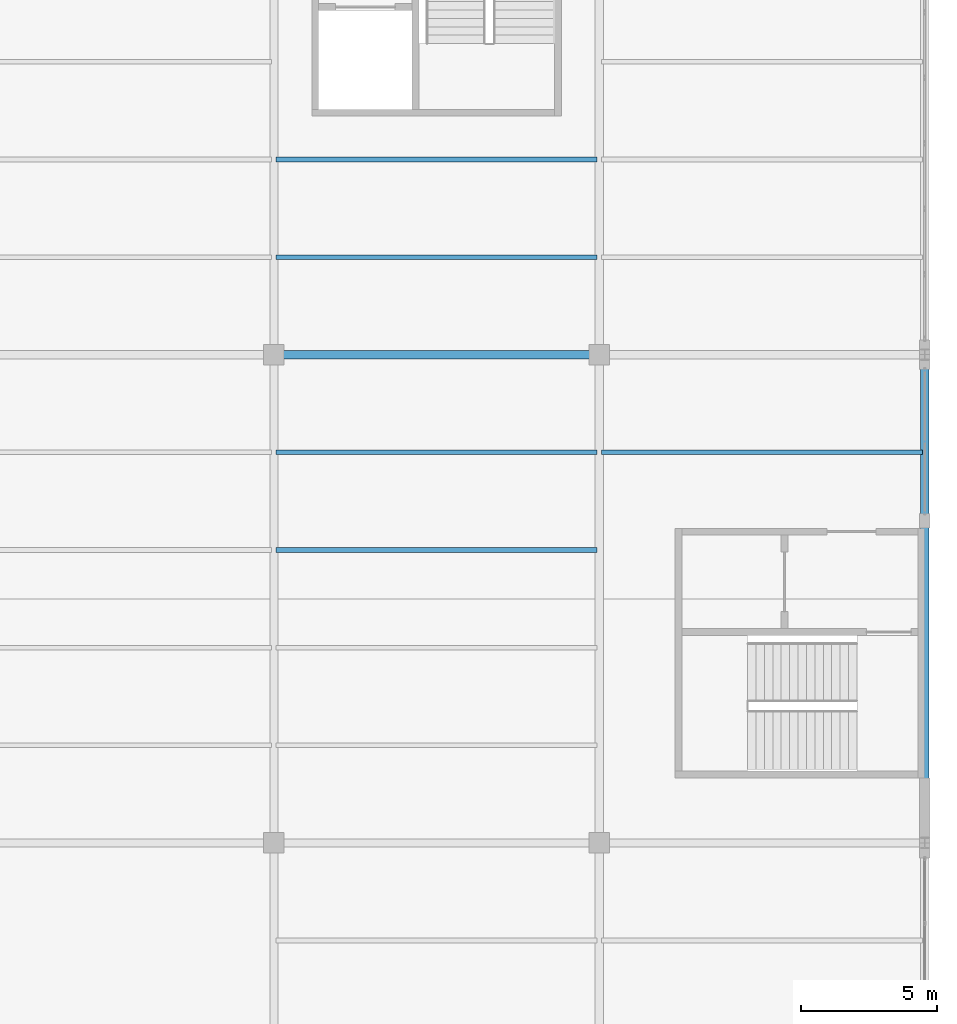
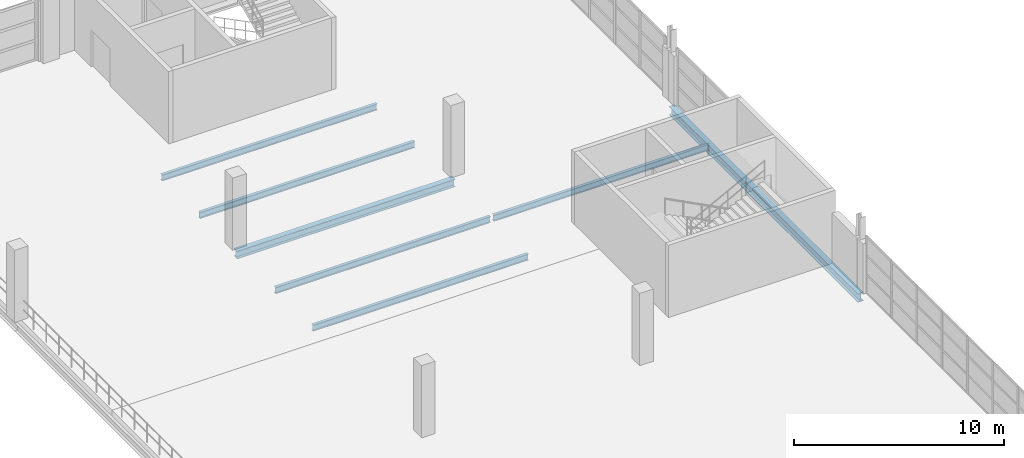
# One storey, part 112 of 158: 7 beams.
"""IFC4 building model written with IfcOpenShell, lengths in metres."""

from ifc_helpers import new_model, si_unit, direction, frame, origin, origin_2d, place, context, subcontext, project, spatial, i_section, extrude, material, material_profile, profile_set, type_object, element, save


model = new_model("IFC4")

# Units and contexts
model_context = context("Model", 3, precision=1e-05, world=origin(), true_north=direction((0.0, 1.0)))
body_context = subcontext(model_context, "Body", "Model", "MODEL_VIEW")
ifc_project = project(units=[si_unit("LENGTHUNIT", "METRE"), si_unit("AREAUNIT", "SQUARE_METRE"), si_unit("VOLUMEUNIT", "CUBIC_METRE"), si_unit("PLANEANGLEUNIT", "RADIAN"), si_unit("MASSUNIT", "GRAM", prefix="KILO")], contexts=[model_context])

# Site, building, storey
site_placement = place(None, origin())
site = spatial("IfcSite", under=ifc_project, at=site_placement, CompositionType="ELEMENT")
building_placement = place(site_placement, origin())
building = spatial("IfcBuilding", under=site, at=building_placement, Name="Zilviju Railside Exhibition Hall", CompositionType="ELEMENT")
storey_placement = place(building_placement, frame((0.0, 0.0, 4.199951171875)))
storey = spatial("IfcBuildingStorey", under=building, at=storey_placement, Name="L02", CompositionType="ELEMENT", Elevation=4.199951171875)

# Beams
ifc_material = material(Name="Steel S355J2", Category="steel")
ifc_material_profile_1 = material_profile(ifc_material, i_section(OverallWidth=0.300048828125, OverallDepth=0.449951171875, WebThickness=0.013916015625, FlangeThickness=0.02587890625, at=origin_2d()), Name="HEB 450")
ifc_profile_set_1 = profile_set([ifc_material_profile_1], Name="Steel S355J2")
beam_type_1 = type_object("IfcBeamType", Name="BM-HEB450", PredefinedType="BEAM", material=ifc_profile_set_1)
beam_1_placement = place(storey_placement, frame((192.0, 120.0, -0.554931640625), z_axis=(1.0, 0.0, 0.0), x_axis=(0.0, 1.0, 0.0)))
element("IfcBeam", 1, at=beam_1_placement, inside=storey, type_object=beam_type_1, Name="Primary Girder L02 Y=120.0 (192.0..204.0)", PredefinedType="BEAM", context=body_context, shape_type="SweptSolid", body=[
    extrude(i_section(OverallWidth=0.300048828125, OverallDepth=0.449951171875, WebThickness=0.013916015625, FlangeThickness=0.02587890625, at=origin_2d()), origin(), (0.0, 0.0, 1.0), 12.0),
])
ifc_material_profile_2 = material_profile(ifc_material, i_section(OverallWidth=0.300048828125, OverallDepth=0.5, WebThickness=0.014404296875, FlangeThickness=0.028076171875, at=origin_2d()), Name="HEB 500")
ifc_profile_set_2 = profile_set([ifc_material_profile_2], Name="Steel S355J2")
beam_type_2 = type_object("IfcBeamType", Name="BM-HEB500", PredefinedType="BEAM", material=ifc_profile_set_2)
beam_2_placement = place(storey_placement, frame((216.0, 102.0, -0.579833984375), z_axis=(0.0, 1.0, 0.0), x_axis=(-1.0, 0.0, 0.0)))
element("IfcBeam", 2, at=beam_2_placement, inside=storey, type_object=beam_type_2, Name="Transverse Girder L02 X=216.0 (102.0..120.0)", PredefinedType="BEAM", context=body_context, shape_type="SweptSolid", body=[
    extrude(i_section(OverallWidth=0.300048828125, OverallDepth=0.5, WebThickness=0.014404296875, FlangeThickness=0.028076171875, at=origin_2d()), origin(), (0.0, 0.0, 1.0), 18.0),
])
ifc_material_profile_3 = material_profile(ifc_material, i_section(OverallWidth=0.169921875, OverallDepth=0.360107421875, WebThickness=0.008056640625, FlangeThickness=0.0126953125, at=origin_2d()), Name="IPE 360")
ifc_profile_set_3 = profile_set([ifc_material_profile_3], Name="Steel S355J2")
beam_type_3 = type_object("IfcBeamType", Name="BM-IPE360", PredefinedType="JOIST", material=ifc_profile_set_3)
for number, where, z_axis, x_axis, name in (
    (3, (192.080078125, 112.800048828125, -0.510009765625), (1.0, 0.0, 0.0), (0.0, 1.0, 0.0), "Composite Floor Joist L02 Y=112.80 (192.0..204.0)"),
    (4, (192.080078125, 116.39990234375, -0.510009765625), (1.0, 0.0, 0.0), (0.0, 1.0, 0.0), "Composite Floor Joist L02 Y=116.40 (192.0..204.0)"),
    (5, (192.080078125, 123.60009765625, -0.510009765625), (1.0, 0.0, 0.0), (0.0, 1.0, 0.0), "Composite Floor Joist L02 Y=123.60 (192.0..204.0)"),
    (6, (192.080078125, 127.199951171875, -0.510009765625), (1.0, 0.0, 0.0), (0.0, 1.0, 0.0), "Composite Floor Joist L02 Y=127.20 (192.0..204.0)"),
    (7, (204.080078125, 116.39990234375, -0.510009765625), (1.0, 0.0, 0.0), (0.0, 1.0, 0.0), "Composite Floor Joist L02 Y=116.40 (204.0..216.0)"),
):
    element("IfcBeam", number, at=place(storey_placement, frame(where, z_axis=z_axis, x_axis=x_axis)), inside=storey, type_object=beam_type_3, Name=name, PredefinedType="JOIST", context=body_context, shape_type="SweptSolid", body=[
        extrude(i_section(OverallWidth=0.169921875, OverallDepth=0.360107421875, WebThickness=0.008056640625, FlangeThickness=0.0126953125, at=origin_2d()), origin(), (0.0, 0.0, 1.0), 11.83984375),
    ])

save(model, "model.ifc")
